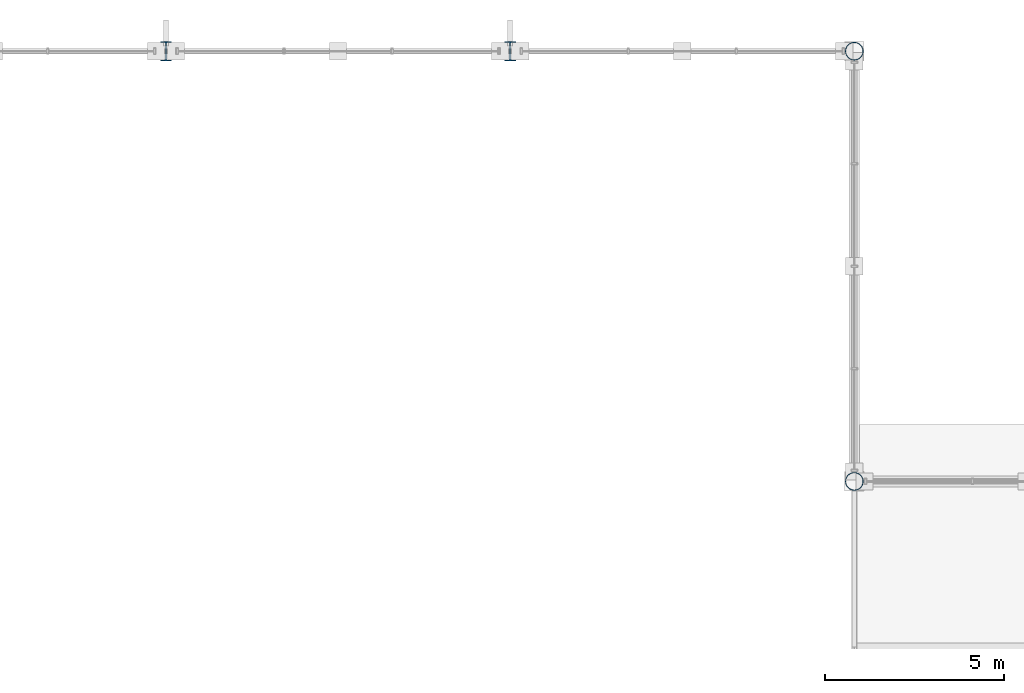
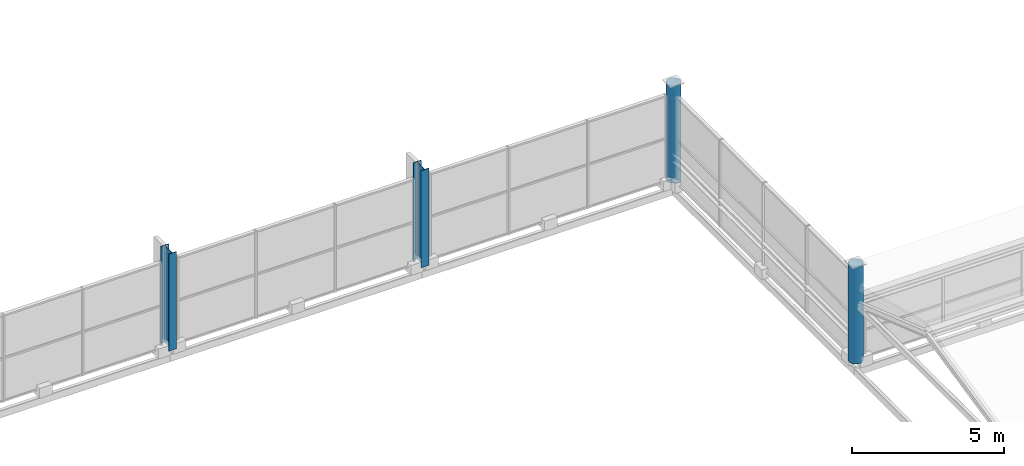
# One storey, part 11 of 117: 4 columns.
"""IFC4 building model written with IfcOpenShell, lengths in metres."""

from ifc_helpers import new_model, si_unit, direction, frame, origin, origin_2d, place, context, subcontext, project, spatial, hollow_circle, i_section, extrude, material, material_profile, profile_set, type_object, element, save


model = new_model("IFC4")

# Units and contexts
model_context = context("Model", 3, precision=1e-05, world=origin(), true_north=direction((0.0, 1.0)))
body_context = subcontext(model_context, "Body", "Model", "MODEL_VIEW")
ifc_project = project(units=[si_unit("LENGTHUNIT", "METRE"), si_unit("AREAUNIT", "SQUARE_METRE"), si_unit("VOLUMEUNIT", "CUBIC_METRE"), si_unit("PLANEANGLEUNIT", "RADIAN"), si_unit("MASSUNIT", "GRAM", prefix="KILO")], contexts=[model_context])

# Site, building, storey
site_placement = place(None, origin())
site = spatial("IfcSite", under=ifc_project, at=site_placement, CompositionType="ELEMENT")
building_placement = place(site_placement, origin())
building = spatial("IfcBuilding", under=site, at=building_placement, Name="Merenkruunu Market Hall", CompositionType="ELEMENT")
storey_placement = place(building_placement, frame((0.0, 0.0, 10.199951171875)))
storey = spatial("IfcBuildingStorey", under=building, at=storey_placement, Name="L02", CompositionType="ELEMENT", Elevation=10.199951171875)

# Columns
ifc_material_1 = material(Name="Steel S355J2", Category="steel")
ifc_material_profile_1 = material_profile(ifc_material_1, i_section(OverallWidth=0.300048828125, OverallDepth=0.5400390625, WebThickness=0.012451171875, FlangeThickness=0.02392578125, FilletRadius=0.027099609375, at=origin_2d()), Name="HEA 550")
ifc_profile_set_1 = profile_set([ifc_material_profile_1], Name="Steel S355J2")
column_type_1 = type_object("IfcColumnType", Name="Structural Column C06", PredefinedType="COLUMN", material=ifc_profile_set_1)
for number, where, z_axis, x_axis, name in (
    (1, (38.39990234375, 111.60009765625, 0.0), (0.0, 0.0, 1.0), (1.0, 0.0, 0.0), "COL-L02-E-12"),
    (2, (48.0, 111.60009765625, 0.0), (0.0, 0.0, 1.0), (1.0, 0.0, 0.0), "COL-L02-F-12"),
):
    element("IfcColumn", number, at=place(storey_placement, frame(where, z_axis=z_axis, x_axis=x_axis)), inside=storey, type_object=column_type_1, Name=name, PredefinedType="COLUMN", context=body_context, shape_type="SweptSolid", body=[
        extrude(i_section(OverallWidth=0.300048828125, OverallDepth=0.5400390625, WebThickness=0.012451171875, FlangeThickness=0.02392578125, FilletRadius=0.027099609375, at=origin_2d()), origin(), (0.0, 0.0, 1.0), 3.900146484375),
    ])
ifc_material_2 = material(Name="Steel S355ML", Category="steel")
ifc_material_profile_2 = material_profile(ifc_material_2, hollow_circle(Radius=0.25390625, WallThickness=0.02001953125, at=origin_2d()), Name="CHS 508x20")
ifc_profile_set_2 = profile_set([ifc_material_profile_2], Name="Steel S355ML")
column_type_2 = type_object("IfcColumnType", Name="Structural Column C11", PredefinedType="COLUMN", material=ifc_profile_set_2)
for number, where, z_axis, x_axis, name in (
    (3, (57.60009765625, 99.60009765625, 0.0), (0.0, 0.0, 1.0), (1.0, 0.0, 0.0), "COL-L02-G-11"),
    (4, (57.60009765625, 111.60009765625, 0.0), (0.0, 0.0, 1.0), (1.0, 0.0, 0.0), "COL-L02-G-12"),
):
    element("IfcColumn", number, at=place(storey_placement, frame(where, z_axis=z_axis, x_axis=x_axis)), inside=storey, type_object=column_type_2, Name=name, PredefinedType="COLUMN", context=body_context, shape_type="SweptSolid", body=[
        extrude(hollow_circle(Radius=0.25390625, WallThickness=0.02001953125, at=origin_2d()), origin(), (0.0, 0.0, 1.0), 3.900146484375),
    ])

save(model, "model.ifc")
